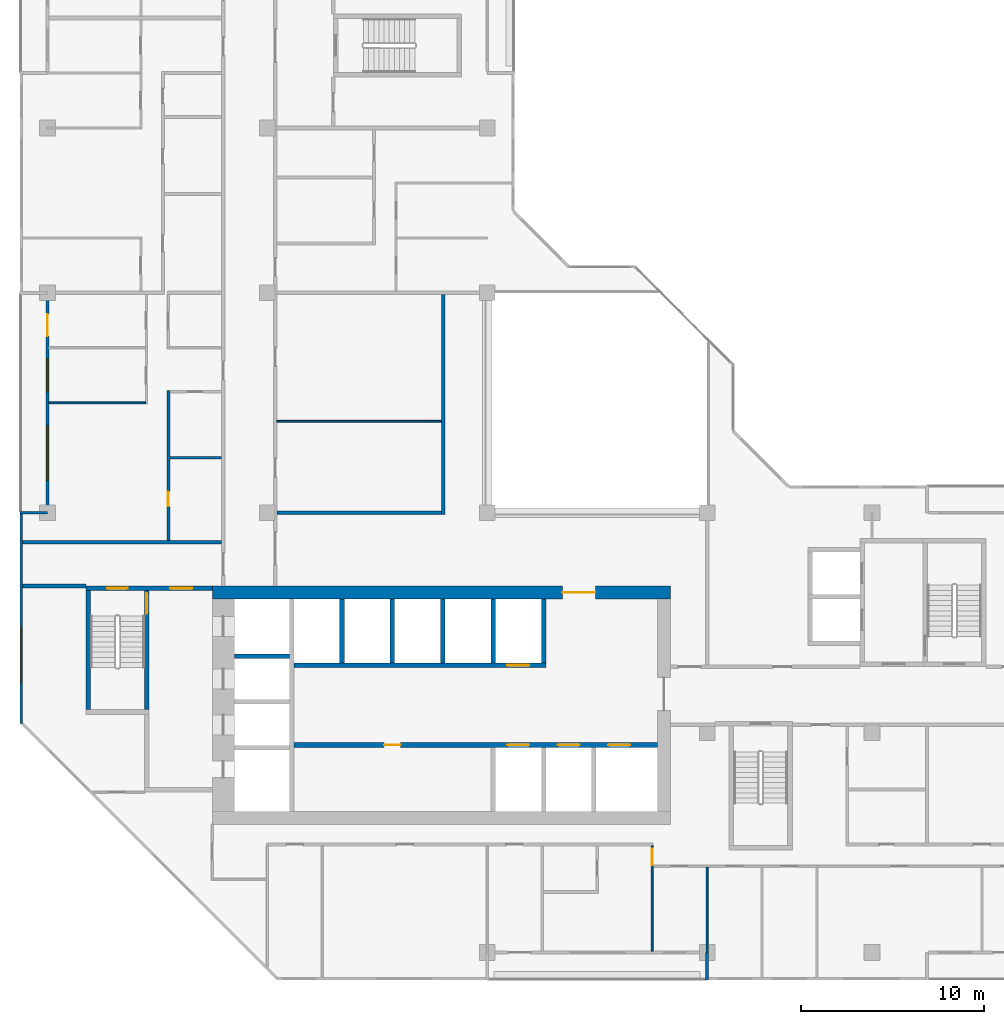
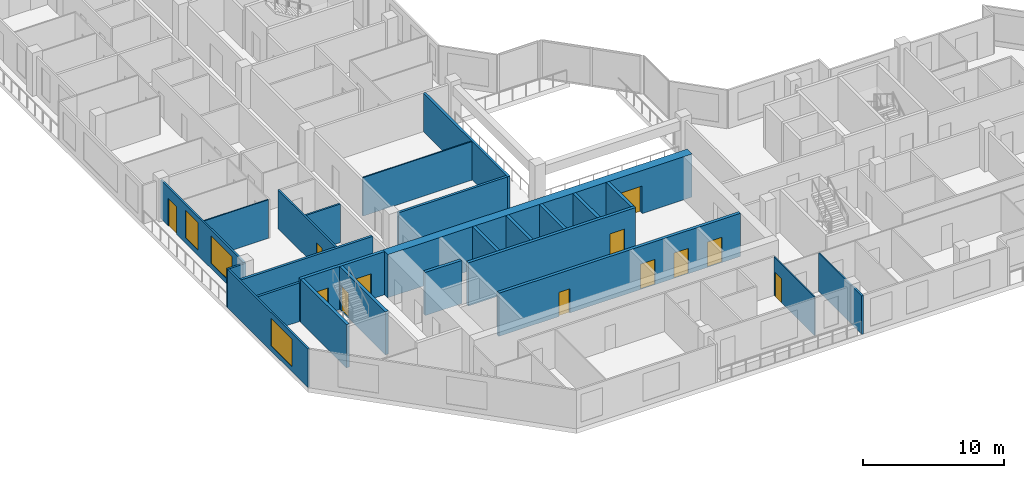
# One storey, part 5 of 14: 26 walls, 12 doors, 3 windows, 15 openings.
"""IFC4 building model written with IfcOpenShell, lengths in metres."""

from ifc_helpers import new_model, si_unit, direction, frame, frame_2d, origin, place, context, subcontext, project, spatial, rectangle, extrude, material, layer, layer_set, type_object, element, fill, save


model = new_model("IFC4")

# Units and contexts
model_context = context("Model", 3, precision=1e-05, world=origin(), true_north=direction((0.0, 1.0)))
body_context = subcontext(model_context, "Body", "Model", "MODEL_VIEW")
ifc_project = project(units=[si_unit("LENGTHUNIT", "METRE"), si_unit("AREAUNIT", "SQUARE_METRE"), si_unit("VOLUMEUNIT", "CUBIC_METRE"), si_unit("PLANEANGLEUNIT", "RADIAN"), si_unit("MASSUNIT", "GRAM", prefix="KILO")], contexts=[model_context])

# Site, building, storey
site_placement = place(None, origin())
site = spatial("IfcSite", under=ifc_project, at=site_placement, CompositionType="ELEMENT")
building_placement = place(site_placement, origin())
building = spatial("IfcBuilding", under=site, at=building_placement, Name="Chenar Terraces", CompositionType="ELEMENT")
storey_placement = place(building_placement, frame((0.0, 0.0, 241.64990234375)))
storey = spatial("IfcBuildingStorey", under=building, at=storey_placement, Name="L57", CompositionType="ELEMENT", Elevation=241.64990234375)

# Wall, openings, doors
ifc_material_1 = material(Name="Concrete C60/75", Category="concrete")
ifc_layer_1 = layer(ifc_material_1, 0.25)
ifc_layer_set_1 = layer_set([ifc_layer_1], Name="Concrete C60/75")
wall_type_1 = type_object("IfcWallType", Name="Core wall 250 Concrete C60/75", PredefinedType="SHEAR", material=ifc_layer_set_1)
wall_1_placement = place(storey_placement, frame((13.449951171875, 11.324951171875, 0.0), z_axis=(0.0, 0.0, 1.0), x_axis=(1.0, 0.0, 0.0)))
wall_1 = element("IfcWall", 1, at=wall_1_placement, inside=storey, type_object=wall_type_1, Name="Core wall SF L57", PredefinedType="SHEAR", context=body_context, shape_type="SweptSolid", body=[
    extrude(rectangle(XDim=19.85009765625, YDim=0.25, at=frame_2d((9.925048828125, 0.0))), origin(), (0.0, 0.0, 1.0), 3.75),
])
opening_1_placement = place(wall_1_placement, frame((11.64990234375, 0.0, 0.0)))
opening_1 = element("IfcOpeningElement", 2, at=opening_1_placement, cuts=wall_1, Name="Opening DL57-LD1", PredefinedType="OPENING", context=body_context, shape_type="SweptSolid", body=[
    extrude(rectangle(XDim=1.199951171875, YDim=2.199951171875, at=frame_2d((0.60009765625, 1.10009765625))), frame((0.0, 0.135009765625, 0.0), z_axis=(0.0, -1.0, 0.0), x_axis=(1.0, 0.0, 0.0)), (0.0, 0.0, 1.0), 0.27001953125),
])
opening_2_placement = place(wall_1_placement, frame((14.39990234375, 0.0, 0.0)))
opening_2 = element("IfcOpeningElement", 3, at=opening_2_placement, cuts=wall_1, Name="Opening DL57-LD2", PredefinedType="OPENING", context=body_context, shape_type="SweptSolid", body=[
    extrude(rectangle(XDim=1.199951171875, YDim=2.199951171875, at=frame_2d((0.60009765625, 1.10009765625))), frame((0.0, 0.135009765625, 0.0), z_axis=(0.0, -1.0, 0.0), x_axis=(1.0, 0.0, 0.0)), (0.0, 0.0, 1.0), 0.27001953125),
])
opening_3_placement = place(wall_1_placement, frame((17.14990234375, 0.0, 0.0)))
opening_3 = element("IfcOpeningElement", 4, at=opening_3_placement, cuts=wall_1, Name="Opening DL57-LD3", PredefinedType="OPENING", context=body_context, shape_type="SweptSolid", body=[
    extrude(rectangle(XDim=1.199951171875, YDim=2.199951171875, at=frame_2d((0.60009765625, 1.10009765625))), frame((0.0, 0.135009765625, 0.0), z_axis=(0.0, -1.0, 0.0), x_axis=(1.0, 0.0, 0.0)), (0.0, 0.0, 1.0), 0.27001953125),
])
opening_4_placement = place(wall_1_placement, frame((4.925048828125, 0.0, 0.0)))
opening_4 = element("IfcOpeningElement", 5, at=opening_4_placement, cuts=wall_1, Name="Opening DL57-C12", PredefinedType="OPENING", context=body_context, shape_type="SweptSolid", body=[
    extrude(rectangle(XDim=0.89990234375, YDim=2.10009765625, at=frame_2d((0.449951171875, 1.050048828125))), frame((0.0, 0.135009765625, 0.0), z_axis=(0.0, -1.0, 0.0), x_axis=(1.0, 0.0, 0.0)), (0.0, 0.0, 1.0), 0.27001953125),
])
ifc_material_2 = material(Name="Stainless steel", Category="steel")
door_type_1 = type_object("IfcDoorType", Name="Lift landing door 1200 x 2200 sliding", OperationType="DOUBLE_DOOR_SLIDING", PredefinedType="DOOR", material=ifc_material_2)
door_1_placement = place(opening_1_placement, origin())
door_1 = element("IfcDoor", 6, at=door_1_placement, inside=storey, type_object=door_type_1, Name="Landing door M1", OperationType="DOUBLE_DOOR_SLIDING", OverallHeight=2.199951171875, OverallWidth=1.199951171875, PredefinedType="DOOR", context=body_context, shape_type="SweptSolid", body=[
    extrude(rectangle(XDim=1.199951171875, YDim=2.199951171875, at=frame_2d((0.60009765625, 1.10009765625))), frame((0.0, 0.02490234375, 0.0), z_axis=(0.0, -1.0, 0.0), x_axis=(1.0, 0.0, 0.0)), (0.0, 0.0, 1.0), 0.050048828125),
])
fill(opening_1, door_1)
door_2_placement = place(opening_2_placement, origin())
door_2 = element("IfcDoor", 7, at=door_2_placement, inside=storey, type_object=door_type_1, Name="Landing door M2", OperationType="DOUBLE_DOOR_SLIDING", OverallHeight=2.199951171875, OverallWidth=1.199951171875, PredefinedType="DOOR", context=body_context, shape_type="SweptSolid", body=[
    extrude(rectangle(XDim=1.199951171875, YDim=2.199951171875, at=frame_2d((0.60009765625, 1.10009765625))), frame((0.0, 0.02490234375, 0.0), z_axis=(0.0, -1.0, 0.0), x_axis=(1.0, 0.0, 0.0)), (0.0, 0.0, 1.0), 0.050048828125),
])
fill(opening_2, door_2)
door_3_placement = place(opening_3_placement, origin())
door_3 = element("IfcDoor", 8, at=door_3_placement, inside=storey, type_object=door_type_1, Name="Landing door M3", OperationType="DOUBLE_DOOR_SLIDING", OverallHeight=2.199951171875, OverallWidth=1.199951171875, PredefinedType="DOOR", context=body_context, shape_type="SweptSolid", body=[
    extrude(rectangle(XDim=1.199951171875, YDim=2.199951171875, at=frame_2d((0.60009765625, 1.10009765625))), frame((0.0, 0.02490234375, 0.0), z_axis=(0.0, -1.0, 0.0), x_axis=(1.0, 0.0, 0.0)), (0.0, 0.0, 1.0), 0.050048828125),
])
fill(opening_3, door_3)
ifc_material_3 = material(Name="Steel-framed fire-resisting door leaf", Category="steel")
door_type_2 = type_object("IfcDoorType", Name="Riser fire door FD60 900 x 2100", OperationType="SINGLE_SWING_LEFT", PredefinedType="DOOR", material=ifc_material_3)
door_4_placement = place(opening_4_placement, frame((0.89990234375, 0.0, 0.0), z_axis=(0.0, 0.0, 1.0), x_axis=(-1.0, 0.0, 0.0)))
door_4 = element("IfcDoor", 9, at=door_4_placement, inside=storey, type_object=door_type_2, Name="Core room door DL57-C12", OperationType="SINGLE_SWING_RIGHT", OverallHeight=2.10009765625, OverallWidth=0.89990234375, PredefinedType="DOOR", context=body_context, shape_type="SweptSolid", body=[
    extrude(rectangle(XDim=0.89990234375, YDim=2.10009765625, at=frame_2d((0.449951171875, 1.050048828125))), frame((0.0, 0.02490234375, 0.0), z_axis=(0.0, -1.0, 0.0), x_axis=(1.0, 0.0, 0.0)), (0.0, 0.0, 1.0), 0.050048828125),
])
fill(opening_4, door_4)

# Wall, opening, door
wall_2_placement = place(storey_placement, frame((13.449951171875, 15.675048828125, 0.0), z_axis=(0.0, 0.0, 1.0), x_axis=(1.0, 0.0, 0.0)))
wall_2 = element("IfcWall", 10, at=wall_2_placement, inside=storey, type_object=wall_type_1, Name="Core wall NF L57", PredefinedType="SHEAR", context=body_context, shape_type="SweptSolid", body=[
    extrude(rectangle(XDim=13.75, YDim=0.25, at=frame_2d((6.875, 0.0))), origin(), (0.0, 0.0, 1.0), 3.75),
])
opening_5_placement = place(wall_2_placement, frame((11.64990234375, 0.0, 0.0)))
opening_5 = element("IfcOpeningElement", 11, at=opening_5_placement, cuts=wall_2, Name="Opening DL57-LD4", PredefinedType="OPENING", context=body_context, shape_type="SweptSolid", body=[
    extrude(rectangle(XDim=1.199951171875, YDim=2.199951171875, at=frame_2d((0.60009765625, 1.10009765625))), frame((0.0, 0.135009765625, 0.0), z_axis=(0.0, -1.0, 0.0), x_axis=(1.0, 0.0, 0.0)), (0.0, 0.0, 1.0), 0.27001953125),
])
door_5_placement = place(opening_5_placement, origin())
door_5 = element("IfcDoor", 12, at=door_5_placement, inside=storey, type_object=door_type_1, Name="Landing door M4", OperationType="DOUBLE_DOOR_SLIDING", OverallHeight=2.199951171875, OverallWidth=1.199951171875, PredefinedType="DOOR", context=body_context, shape_type="SweptSolid", body=[
    extrude(rectangle(XDim=1.199951171875, YDim=2.199951171875, at=frame_2d((0.60009765625, 1.10009765625))), frame((0.0, 0.02490234375, 0.0), z_axis=(0.0, -1.0, 0.0), x_axis=(1.0, 0.0, 0.0)), (0.0, 0.0, 1.0), 0.050048828125),
])
fill(opening_5, door_5)

# Walls
wall_3_placement = place(storey_placement, frame((10.199951171875, 16.175048828125, 0.0), z_axis=(0.0, 0.0, 1.0), x_axis=(1.0, 0.0, 0.0)))
element("IfcWall", 13, at=wall_3_placement, inside=storey, type_object=wall_type_1, Name="Core wall HW2 L57", PredefinedType="SHEAR", context=body_context, shape_type="SweptSolid", body=[
    extrude(rectangle(XDim=3.0, YDim=0.25, at=frame_2d((1.5, 0.0))), origin(), (0.0, 0.0, 1.0), 3.75),
])
for number, where, z_axis, x_axis, name in (
    (14, (16.074951171875, 15.800048828125, 0.0), (0.0, 0.0, 1.0), (0.0, 1.0, 0.0), "Core wall NS0 L57"),
    (15, (18.824951171875, 15.800048828125, 0.0), (0.0, 0.0, 1.0), (0.0, 1.0, 0.0), "Core wall NS1 L57"),
    (16, (21.574951171875, 15.800048828125, 0.0), (0.0, 0.0, 1.0), (0.0, 1.0, 0.0), "Core wall NS2 L57"),
    (17, (24.324951171875, 15.800048828125, 0.0), (0.0, 0.0, 1.0), (0.0, 1.0, 0.0), "Core wall NS3 L57"),
    (18, (27.074951171875, 15.800048828125, 0.0), (0.0, 0.0, 1.0), (0.0, 1.0, 0.0), "Core wall NE L57"),
):
    element("IfcWall", number, at=place(storey_placement, frame(where, z_axis=z_axis, x_axis=x_axis)), inside=storey, type_object=wall_type_1, Name=name, PredefinedType="SHEAR", context=body_context, shape_type="SweptSolid", body=[
        extrude(rectangle(XDim=3.5, YDim=0.25, at=frame_2d((1.75, 0.0))), origin(), (0.0, 0.0, 1.0), 3.75),
    ])

# Wall, openings, doors
wall_4_placement = place(storey_placement, frame((2.10009765625, 19.875, 0.0), z_axis=(0.0, 0.0, 1.0), x_axis=(1.0, 0.0, 0.0)))
wall_4 = element("IfcWall", 19, at=wall_4_placement, inside=storey, type_object=wall_type_1, Name="Core wall A_N L57", PredefinedType="SHEAR", context=body_context, shape_type="SweptSolid", body=[
    extrude(rectangle(XDim=6.89990234375, YDim=0.25, at=frame_2d((3.449951171875, 0.0))), origin(), (0.0, 0.0, 1.0), 3.75),
])
opening_6_placement = place(wall_4_placement, frame((1.175048828125, 0.0, 0.0)))
opening_6 = element("IfcOpeningElement", 20, at=opening_6_placement, cuts=wall_4, Name="Opening DL57-C5", PredefinedType="OPENING", context=body_context, shape_type="SweptSolid", body=[
    extrude(rectangle(XDim=1.10009765625, YDim=2.199951171875, at=frame_2d((0.550048828125, 1.10009765625))), frame((0.0, 0.135009765625, 0.0), z_axis=(0.0, -1.0, 0.0), x_axis=(1.0, 0.0, 0.0)), (0.0, 0.0, 1.0), 0.27001953125),
])
opening_7_placement = place(wall_4_placement, frame((4.60009765625, 0.0, 0.0)))
opening_7 = element("IfcOpeningElement", 21, at=opening_7_placement, cuts=wall_4, Name="Opening DL57-C6", PredefinedType="OPENING", context=body_context, shape_type="SweptSolid", body=[
    extrude(rectangle(XDim=1.199951171875, YDim=2.199951171875, at=frame_2d((0.60009765625, 1.10009765625))), frame((0.0, 0.135009765625, 0.0), z_axis=(0.0, -1.0, 0.0), x_axis=(1.0, 0.0, 0.0)), (0.0, 0.0, 1.0), 0.27001953125),
])
ifc_material_4 = material(Name="Steel-framed fire-resisting door leaf", Category="steel")
door_type_3 = type_object("IfcDoorType", Name="Lobby fire door FD60 1200 x 2200", OperationType="SINGLE_SWING_LEFT", PredefinedType="DOOR", material=ifc_material_4)
door_6_placement = place(opening_7_placement, frame((1.199951171875, 0.0, 0.0), z_axis=(0.0, 0.0, 1.0), x_axis=(-1.0, 0.0, 0.0)))
door_6 = element("IfcDoor", 22, at=door_6_placement, inside=storey, type_object=door_type_3, Name="Core door DL57-C6", OperationType="SINGLE_SWING_LEFT", OverallHeight=2.199951171875, OverallWidth=1.199951171875, PredefinedType="DOOR", context=body_context, shape_type="SweptSolid", body=[
    extrude(rectangle(XDim=1.199951171875, YDim=2.199951171875, at=frame_2d((0.60009765625, 1.10009765625))), frame((0.0, 0.02490234375, 0.0), z_axis=(0.0, -1.0, 0.0), x_axis=(1.0, 0.0, 0.0)), (0.0, 0.0, 1.0), 0.050048828125),
])
fill(opening_7, door_6)
ifc_material_5 = material(Name="Steel-framed fire-resisting door leaf", Category="steel")
door_type_4 = type_object("IfcDoorType", Name="Stair fire door FD60 1100 x 2200", OperationType="SINGLE_SWING_LEFT", PredefinedType="DOOR", material=ifc_material_5)
door_7_placement = place(opening_6_placement, origin())
door_7 = element("IfcDoor", 23, at=door_7_placement, inside=storey, type_object=door_type_4, Name="Stair door DL57-C5", OperationType="SINGLE_SWING_LEFT", OverallHeight=2.199951171875, OverallWidth=1.10009765625, PredefinedType="DOOR", context=body_context, shape_type="SweptSolid", body=[
    extrude(rectangle(XDim=1.10009765625, YDim=2.199951171875, at=frame_2d((0.550048828125, 1.10009765625))), frame((0.0, 0.02490234375, 0.0), z_axis=(0.0, -1.0, 0.0), x_axis=(1.0, 0.0, 0.0)), (0.0, 0.0, 1.0), 0.050048828125),
])
fill(opening_6, door_7)

# Wall
wall_5_placement = place(storey_placement, frame((2.22509765625, 13.25, 0.0), z_axis=(0.0, 0.0, 1.0), x_axis=(0.0, 1.0, 0.0)))
element("IfcWall", 24, at=wall_5_placement, inside=storey, type_object=wall_type_1, Name="Core wall ST1_W L57", PredefinedType="SHEAR", context=body_context, shape_type="SweptSolid", body=[
    extrude(rectangle(XDim=6.5, YDim=0.25, at=frame_2d((3.25, 0.0))), origin(), (0.0, 0.0, 1.0), 3.75),
])

# Wall, opening, door
wall_6_placement = place(storey_placement, frame((5.425048828125, 13.25, 0.0), z_axis=(0.0, 0.0, 1.0), x_axis=(0.0, 1.0, 0.0)))
wall_6 = element("IfcWall", 25, at=wall_6_placement, inside=storey, type_object=wall_type_1, Name="Core wall ST1_E L57", PredefinedType="SHEAR", context=body_context, shape_type="SweptSolid", body=[
    extrude(rectangle(XDim=6.5, YDim=0.25, at=frame_2d((3.25, 0.0))), origin(), (0.0, 0.0, 1.0), 3.75),
])
opening_8_placement = place(wall_6_placement, frame((5.25, 0.0, 0.0)))
opening_8 = element("IfcOpeningElement", 26, at=opening_8_placement, cuts=wall_6, Name="Opening DL57-C3", PredefinedType="OPENING", context=body_context, shape_type="SweptSolid", body=[
    extrude(rectangle(XDim=1.10009765625, YDim=2.199951171875, at=frame_2d((0.550048828125, 1.10009765625))), frame((0.0, 0.135009765625, 0.0), z_axis=(0.0, -1.0, 0.0), x_axis=(1.0, 0.0, 0.0)), (0.0, 0.0, 1.0), 0.27001953125),
])
door_8_placement = place(opening_8_placement, origin())
door_8 = element("IfcDoor", 27, at=door_8_placement, inside=storey, type_object=door_type_4, Name="Stair door DL57-C3", OperationType="SINGLE_SWING_RIGHT", OverallHeight=2.199951171875, OverallWidth=1.10009765625, PredefinedType="DOOR", context=body_context, shape_type="SweptSolid", body=[
    extrude(rectangle(XDim=1.10009765625, YDim=2.199951171875, at=frame_2d((0.550048828125, 1.10009765625))), frame((0.0, 0.02490234375, 0.0), z_axis=(0.0, -1.0, 0.0), x_axis=(1.0, 0.0, 0.0)), (0.0, 0.0, 1.0), 0.050048828125),
])
fill(opening_8, door_8)

ifc_material_6 = material(Name="Concrete C60/75", Category="concrete")
ifc_layer_2 = layer(ifc_material_6, 0.699951171875)
ifc_layer_set_2 = layer_set([ifc_layer_2], Name="Concrete C60/75")
wall_type_2 = type_object("IfcWallType", Name="Core wall 700 Concrete C60/75", PredefinedType="SHEAR", material=ifc_layer_set_2)
wall_7_placement = place(storey_placement, frame((9.0, 19.64990234375, 0.0), z_axis=(0.0, 0.0, 1.0), x_axis=(1.0, 0.0, 0.0)))
wall_7 = element("IfcWall", 28, at=wall_7_placement, inside=storey, type_object=wall_type_2, Name="Core wall N L57", PredefinedType="SHEAR", context=body_context, shape_type="SweptSolid", body=[
    extrude(rectangle(XDim=25.0, YDim=0.699951171875, at=frame_2d((12.5, 0.0))), origin(), (0.0, 0.0, 1.0), 3.75),
])
opening_9_placement = place(wall_7_placement, frame((19.10009765625, 0.0, 0.0)))
opening_9 = element("IfcOpeningElement", 29, at=opening_9_placement, cuts=wall_7, Name="Opening DL57-C2", PredefinedType="OPENING", context=body_context, shape_type="SweptSolid", body=[
    extrude(rectangle(XDim=1.800048828125, YDim=2.39990234375, at=frame_2d((0.89990234375, 1.199951171875))), frame((0.0, 0.35986328125, 0.0), z_axis=(0.0, -1.0, 0.0), x_axis=(1.0, 0.0, 0.0)), (0.0, 0.0, 1.0), 0.719970703125),
])
ifc_material_7 = material(Name="Steel-framed fire-resisting door leaf", Category="steel")
door_type_5 = type_object("IfcDoorType", Name="Core entrance double fire door FD60 1800 x 2400", OperationType="DOUBLE_DOOR_SINGLE_SWING", PredefinedType="DOOR", material=ifc_material_7)
door_9_placement = place(opening_9_placement, frame((1.800048828125, 0.0, 0.0), z_axis=(0.0, 0.0, 1.0), x_axis=(-1.0, 0.0, 0.0)))
door_9 = element("IfcDoor", 30, at=door_9_placement, inside=storey, type_object=door_type_5, Name="Core door DL57-C2", OperationType="DOUBLE_DOOR_SINGLE_SWING", OverallHeight=2.39990234375, OverallWidth=1.800048828125, PredefinedType="DOOR", context=body_context, shape_type="SweptSolid", body=[
    extrude(rectangle(XDim=1.800048828125, YDim=2.39990234375, at=frame_2d((0.89990234375, 1.199951171875))), frame((0.0, 0.02490234375, 0.0), z_axis=(0.0, -1.0, 0.0), x_axis=(1.0, 0.0, 0.0)), (0.0, 0.0, 1.0), 0.050048828125),
])
fill(opening_9, door_9)

# Walls
ifc_material_8 = material(Name="Gypsum board on steel studs with fire boards", Category="steel")
ifc_layer_3 = layer(ifc_material_8, 0.199951171875)
ifc_layer_set_3 = layer_set([ifc_layer_3], Name="Gypsum board on steel studs with fire boards")
wall_type_3 = type_object("IfcWallType", Name="Corridor wall 200", PredefinedType="PARTITIONING", material=ifc_layer_set_3)
wall_8_placement = place(storey_placement, frame((-1.35009765625, 20.0, 0.0), z_axis=(0.0, 0.0, 1.0), x_axis=(1.0, 0.0, 0.0)))
element("IfcWall", 31, at=wall_8_placement, inside=storey, type_object=wall_type_3, Name="Partition L57-001", PredefinedType="PARTITIONING", context=body_context, shape_type="SweptSolid", body=[
    extrude(rectangle(XDim=3.4501953125, YDim=0.199951171875, at=frame_2d((1.72509765625, 0.0))), origin(), (0.0, 0.0, 1.0), 3.35009765625),
])
wall_9_placement = place(storey_placement, frame((-1.35009765625, 22.39990234375, 0.0), z_axis=(0.0, 0.0, 1.0), x_axis=(1.0, 0.0, 0.0)))
element("IfcWall", 32, at=wall_9_placement, inside=storey, type_object=wall_type_3, Name="Partition L57-002", PredefinedType="PARTITIONING", context=body_context, shape_type="SweptSolid", body=[
    extrude(rectangle(XDim=10.85009765625, YDim=0.199951171875, at=frame_2d((5.425048828125, 0.0))), origin(), (0.0, 0.0, 1.0), 3.35009765625),
])
wall_10_placement = place(storey_placement, frame((12.52490234375, 24.0, 0.0), z_axis=(0.0, 0.0, 1.0), x_axis=(1.0, 0.0, 0.0)))
element("IfcWall", 33, at=wall_10_placement, inside=storey, type_object=wall_type_3, Name="Partition L57-037", PredefinedType="PARTITIONING", context=body_context, shape_type="SweptSolid", body=[
    extrude(rectangle(XDim=8.97509765625, YDim=0.199951171875, at=frame_2d((4.487548828125, 0.0))), origin(), (0.0, 0.0, 1.0), 3.35009765625),
])
wall_11_placement = place(storey_placement, frame((21.60009765625, 23.89990234375, 0.0), z_axis=(0.0, 0.0, 1.0), x_axis=(0.0, 1.0, 0.0)))
element("IfcWall", 34, at=wall_11_placement, inside=storey, type_object=wall_type_3, Name="Partition L57-058", PredefinedType="PARTITIONING", context=body_context, shape_type="SweptSolid", body=[
    extrude(rectangle(XDim=12.0, YDim=0.199951171875, at=frame_2d((6.0, 0.0))), origin(), (0.0, 0.0, 1.0), 3.35009765625),
])

# Wall, opening, window
ifc_material_9 = material(Name="Aluminium framed glazing", Category="aluminium")
ifc_layer_4 = layer(ifc_material_9, 0.14990234375)
ifc_layer_set_4 = layer_set([ifc_layer_4], Name="Aluminium framed glazing")
wall_type_4 = type_object("IfcWallType", Name="Glazed flush facade wall 150", PredefinedType="SOLIDWALL", material=ifc_layer_set_4)
wall_12_placement = place(storey_placement, frame((-1.425048828125, 23.925048828125, 0.0), z_axis=(0.0, 0.0, 1.0), x_axis=(0.0, -1.0, 0.0)))
wall_12 = element("IfcWall", 35, at=wall_12_placement, inside=storey, type_object=wall_type_4, Name="Glazed flush facade wall", PredefinedType="SOLIDWALL", context=body_context, shape_type="SweptSolid", body=[
    extrude(rectangle(XDim=11.425048828125, YDim=0.14990234375, at=frame_2d((5.71240234375, 0.0))), origin(), (0.0, 0.0, 1.0), 3.35009765625),
])
opening_10_placement = place(wall_12_placement, frame((6.175048828125, 0.0, 0.449951171875)))
opening_10 = element("IfcOpeningElement", 36, at=opening_10_placement, cuts=wall_12, Name="Opening W300x240", PredefinedType="OPENING", context=body_context, shape_type="SweptSolid", body=[
    extrude(rectangle(XDim=3.0, YDim=2.39990234375, at=frame_2d((1.5, 1.199951171875))), frame((0.0, 0.0849609375, 0.0), z_axis=(0.0, -1.0, 0.0), x_axis=(1.0, 0.0, 0.0)), (0.0, 0.0, 1.0), 0.169921875),
])
ifc_material_10 = material(Name="Low emissivity double glazing, aluminium frame", Category="aluminium")
window_type_1 = type_object("IfcWindowType", Name="Fixed light 3000 x 2400", PartitioningType="SINGLE_PANEL", PredefinedType="WINDOW", material=ifc_material_10)
window_1_placement = place(opening_10_placement, origin())
window_1 = element("IfcWindow", 37, at=window_1_placement, inside=storey, type_object=window_type_1, Name="Window", OverallHeight=2.39990234375, OverallWidth=3.0, PartitioningType="SINGLE_PANEL", PredefinedType="WINDOW", context=body_context, shape_type="SweptSolid", body=[
    extrude(rectangle(XDim=3.0, YDim=2.39990234375, at=frame_2d((1.5, 1.199951171875))), frame((0.0, 0.030029296875, 0.0), z_axis=(0.0, -1.0, 0.0), x_axis=(1.0, 0.0, 0.0)), (0.0, 0.0, 1.0), 0.06005859375),
])
fill(opening_10, window_1)

# Wall, openings, windows, door
ifc_material_11 = material(Name="Aluminium framed glazing", Category="aluminium")
ifc_layer_5 = layer(ifc_material_11, 0.14990234375)
ifc_layer_set_5 = layer_set([ifc_layer_5], Name="Aluminium framed glazing")
wall_type_5 = type_object("IfcWallType", Name="Glazed loggia back wall 150", PredefinedType="SOLIDWALL", material=ifc_layer_set_5)
wall_13_placement = place(storey_placement, frame((0.0, 35.925048828125, 0.0), z_axis=(0.0, 0.0, 1.0), x_axis=(0.0, -1.0, 0.0)))
wall_13 = element("IfcWall", 38, at=wall_13_placement, inside=storey, type_object=wall_type_5, Name="Glazed loggia back wall", PredefinedType="SOLIDWALL", context=body_context, shape_type="SweptSolid", body=[
    extrude(rectangle(XDim=11.85009765625, YDim=0.14990234375, at=frame_2d((5.925048828125, 0.0))), origin(), (0.0, 0.0, 1.0), 3.35009765625),
])
opening_11_placement = place(wall_13_placement, frame((1.08740234375, 0.0, 0.0)))
opening_11 = element("IfcOpeningElement", 39, at=opening_11_placement, cuts=wall_13, Name="Opening DL57-G5", PredefinedType="OPENING", context=body_context, shape_type="SweptSolid", body=[
    extrude(rectangle(XDim=1.199951171875, YDim=2.39990234375, at=frame_2d((0.60009765625, 1.199951171875))), frame((0.0, 0.0849609375, 0.0), z_axis=(0.0, -1.0, 0.0), x_axis=(1.0, 0.0, 0.0)), (0.0, 0.0, 1.0), 0.169921875),
])
opening_12_placement = place(wall_13_placement, frame((3.52490234375, 0.0, 0.449951171875)))
opening_12 = element("IfcOpeningElement", 40, at=opening_12_placement, cuts=wall_13, Name="Opening W180x240", PredefinedType="OPENING", context=body_context, shape_type="SweptSolid", body=[
    extrude(rectangle(XDim=1.800048828125, YDim=2.39990234375, at=frame_2d((0.89990234375, 1.199951171875))), frame((0.0, 0.0849609375, 0.0), z_axis=(0.0, -1.0, 0.0), x_axis=(1.0, 0.0, 0.0)), (0.0, 0.0, 1.0), 0.169921875),
])
opening_13_placement = place(wall_13_placement, frame((7.16259765625, 0.0, 0.449951171875)))
opening_13 = element("IfcOpeningElement", 41, at=opening_13_placement, cuts=wall_13, Name="Opening W300x240", PredefinedType="OPENING", context=body_context, shape_type="SweptSolid", body=[
    extrude(rectangle(XDim=3.0, YDim=2.39990234375, at=frame_2d((1.5, 1.199951171875))), frame((0.0, 0.0849609375, 0.0), z_axis=(0.0, -1.0, 0.0), x_axis=(1.0, 0.0, 0.0)), (0.0, 0.0, 1.0), 0.169921875),
])
ifc_material_12 = material(Name="Low emissivity double glazing, aluminium frame", Category="aluminium")
window_type_2 = type_object("IfcWindowType", Name="Fixed light 1800 x 2400", PartitioningType="SINGLE_PANEL", PredefinedType="WINDOW", material=ifc_material_12)
window_2_placement = place(opening_12_placement, origin())
window_2 = element("IfcWindow", 42, at=window_2_placement, inside=storey, type_object=window_type_2, Name="Window", OverallHeight=2.39990234375, OverallWidth=1.800048828125, PartitioningType="SINGLE_PANEL", PredefinedType="WINDOW", context=body_context, shape_type="SweptSolid", body=[
    extrude(rectangle(XDim=1.800048828125, YDim=2.39990234375, at=frame_2d((0.89990234375, 1.199951171875))), frame((0.0, 0.030029296875, 0.0), z_axis=(0.0, -1.0, 0.0), x_axis=(1.0, 0.0, 0.0)), (0.0, 0.0, 1.0), 0.06005859375),
])
fill(opening_12, window_2)
window_3_placement = place(opening_13_placement, origin())
window_3 = element("IfcWindow", 43, at=window_3_placement, inside=storey, type_object=window_type_1, Name="Window", OverallHeight=2.39990234375, OverallWidth=3.0, PartitioningType="SINGLE_PANEL", PredefinedType="WINDOW", context=body_context, shape_type="SweptSolid", body=[
    extrude(rectangle(XDim=3.0, YDim=2.39990234375, at=frame_2d((1.5, 1.199951171875))), frame((0.0, 0.030029296875, 0.0), z_axis=(0.0, -1.0, 0.0), x_axis=(1.0, 0.0, 0.0)), (0.0, 0.0, 1.0), 0.06005859375),
])
fill(opening_13, window_3)
ifc_material_13 = material(Name="Low emissivity double glazing, aluminium frame", Category="aluminium")
door_type_6 = type_object("IfcDoorType", Name="Loggia glazed double door 1200 x 2400", OperationType="DOUBLE_DOOR_SINGLE_SWING", PredefinedType="DOOR", material=ifc_material_13)
door_10_placement = place(opening_11_placement, frame((1.199951171875, 0.0, 0.0), z_axis=(0.0, 0.0, 1.0), x_axis=(-1.0, 0.0, 0.0)))
door_10 = element("IfcDoor", 44, at=door_10_placement, inside=storey, type_object=door_type_6, Name="Loggia glazed door", OperationType="DOUBLE_DOOR_SINGLE_SWING", OverallHeight=2.39990234375, OverallWidth=1.199951171875, PredefinedType="DOOR", context=body_context, shape_type="SweptSolid", body=[
    extrude(rectangle(XDim=1.199951171875, YDim=2.39990234375, at=frame_2d((0.60009765625, 1.199951171875))), frame((0.0, 0.02490234375, 0.0), z_axis=(0.0, -1.0, 0.0), x_axis=(1.0, 0.0, 0.0)), (0.0, 0.0, 1.0), 0.050048828125),
])
fill(opening_11, door_10)

# Walls
ifc_material_14 = material(Name="Gypsum board on steel studs", Category="steel")
ifc_layer_6 = layer(ifc_material_14, 0.10009765625)
ifc_layer_set_6 = layer_set([ifc_layer_6], Name="Gypsum board on steel studs")
wall_type_6 = type_object("IfcWallType", Name="Gypsum partition 100", PredefinedType="PARTITIONING", material=ifc_layer_set_6)
wall_14_placement = place(storey_placement, frame((0.073974609375, 30.0, 0.0), z_axis=(0.0, 0.0, 1.0), x_axis=(1.0, 0.0, 0.0)))
element("IfcWall", 45, at=wall_14_placement, inside=storey, type_object=wall_type_6, Name="Partition L57-007", PredefinedType="PARTITIONING", context=body_context, shape_type="SweptSolid", body=[
    extrude(rectangle(XDim=5.276123046875, YDim=0.10009765625, at=frame_2d((2.63818359375, 0.0))), origin(), (0.0, 0.0, 1.0), 3.35009765625),
])
wall_15_placement = place(storey_placement, frame((12.52490234375, 29.0, 0.0), z_axis=(0.0, 0.0, 1.0), x_axis=(1.0, 0.0, 0.0)))
element("IfcWall", 46, at=wall_15_placement, inside=storey, type_object=wall_type_6, Name="Partition L57-038", PredefinedType="PARTITIONING", context=body_context, shape_type="SweptSolid", body=[
    extrude(rectangle(XDim=8.97509765625, YDim=0.10009765625, at=frame_2d((4.487548828125, 0.0))), origin(), (0.0, 0.0, 1.0), 3.35009765625),
])

# Wall, opening, door
wall_16_placement = place(storey_placement, frame((33.0, 0.073974609375, 0.0), z_axis=(0.0, 0.0, 1.0), x_axis=(0.0, 1.0, 0.0)))
wall_16 = element("IfcWall", 47, at=wall_16_placement, inside=storey, type_object=wall_type_6, Name="Partition L57-063", PredefinedType="PARTITIONING", context=body_context, shape_type="SweptSolid", body=[
    extrude(rectangle(XDim=5.7509765625, YDim=0.10009765625, at=frame_2d((2.87548828125, 0.0))), origin(), (0.0, 0.0, 1.0), 3.35009765625),
])
opening_14_placement = place(wall_16_placement, frame((4.700927734375, 0.0, 0.0)))
opening_14 = element("IfcOpeningElement", 48, at=opening_14_placement, cuts=wall_16, Name="Opening DL57-51", PredefinedType="OPENING", context=body_context, shape_type="SweptSolid", body=[
    extrude(rectangle(XDim=0.89990234375, YDim=2.10009765625, at=frame_2d((0.449951171875, 1.050048828125))), frame((0.0, 0.06005859375, 0.0), z_axis=(0.0, -1.0, 0.0), x_axis=(1.0, 0.0, 0.0)), (0.0, 0.0, 1.0), 0.1201171875),
])
ifc_material_15 = material(Name="Veneered timber door leaf", Category="wood")
door_type_7 = type_object("IfcDoorType", Name="Door 900 x 2100", OperationType="SINGLE_SWING_LEFT", PredefinedType="DOOR", material=ifc_material_15)
door_11_placement = place(opening_14_placement, origin())
door_11 = element("IfcDoor", 49, at=door_11_placement, inside=storey, type_object=door_type_7, Name="Door DL57-51", OperationType="SINGLE_SWING_RIGHT", OverallHeight=2.10009765625, OverallWidth=0.89990234375, PredefinedType="DOOR", context=body_context, shape_type="SweptSolid", body=[
    extrude(rectangle(XDim=0.89990234375, YDim=2.10009765625, at=frame_2d((0.449951171875, 1.050048828125))), frame((0.0, 0.02490234375, 0.0), z_axis=(0.0, -1.0, 0.0), x_axis=(1.0, 0.0, 0.0)), (0.0, 0.0, 1.0), 0.050048828125),
])
fill(opening_14, door_11)

# Walls
wall_17_placement = place(storey_placement, frame((36.0, 0.0, 0.0), z_axis=(0.0, 0.0, 1.0), x_axis=(0.0, 1.0, 0.0)))
element("IfcWall", 50, at=wall_17_placement, inside=storey, type_object=wall_type_6, Name="Partition L57-067", PredefinedType="PARTITIONING", context=body_context, shape_type="SweptSolid", body=[
    extrude(rectangle(XDim=4.64990234375, YDim=0.10009765625, at=frame_2d((2.324951171875, 0.0))), origin(), (0.0, 0.0, 1.0), 3.35009765625),
])
ifc_material_16 = material(Name="Terracotta cladding on insulated backing", Category="masonry")
ifc_layer_7 = layer(ifc_material_16, 0.14990234375)
ifc_layer_set_7 = layer_set([ifc_layer_7], Name="Terracotta cladding on insulated backing")
wall_type_7 = type_object("IfcWallType", Name="Loggia return wall 150", PredefinedType="SOLIDWALL", material=ifc_layer_set_7)
for number, where, z_axis, x_axis, name in (
    (51, (-1.5, 24.0, 0.0), (0.0, 0.0, 1.0), (1.0, 0.0, 0.0), "Loggia return wall"),
    (52, (36.0, -1.5, 0.0), (0.0, 0.0, 1.0), (0.0, 1.0, 0.0), "Loggia return wall"),
):
    element("IfcWall", number, at=place(storey_placement, frame(where, z_axis=z_axis, x_axis=x_axis)), inside=storey, type_object=wall_type_7, Name=name, PredefinedType="SOLIDWALL", context=body_context, shape_type="SweptSolid", body=[
        extrude(rectangle(XDim=1.5, YDim=0.14990234375, at=frame_2d((0.75, 0.0))), origin(), (0.0, 0.0, 1.0), 3.35009765625),
    ])

# Wall, opening, door
ifc_material_17 = material(Name="Moisture-resistant gypsum board on steel studs", Category="steel")
ifc_layer_8 = layer(ifc_material_17, 0.14990234375)
ifc_layer_set_8 = layer_set([ifc_layer_8], Name="Moisture-resistant gypsum board on steel studs")
wall_type_8 = type_object("IfcWallType", Name="Wet-room partition 150", PredefinedType="PARTITIONING", material=ifc_layer_set_8)
wall_18_placement = place(storey_placement, frame((6.60009765625, 22.5, 0.0), z_axis=(0.0, 0.0, 1.0), x_axis=(0.0, 1.0, 0.0)))
wall_18 = element("IfcWall", 53, at=wall_18_placement, inside=storey, type_object=wall_type_8, Name="Partition L57-026", PredefinedType="PARTITIONING", context=body_context, shape_type="SweptSolid", body=[
    extrude(rectangle(XDim=8.175048828125, YDim=0.14990234375, at=frame_2d((4.08740234375, 0.0))), origin(), (0.0, 0.0, 1.0), 3.35009765625),
])
opening_15_placement = place(wall_18_placement, frame((1.85009765625, 0.0, 0.0)))
opening_15 = element("IfcOpeningElement", 54, at=opening_15_placement, cuts=wall_18, Name="Opening DL57-62", PredefinedType="OPENING", context=body_context, shape_type="SweptSolid", body=[
    extrude(rectangle(XDim=0.800048828125, YDim=2.10009765625, at=frame_2d((0.39990234375, 1.050048828125))), frame((0.0, 0.0849609375, 0.0), z_axis=(0.0, -1.0, 0.0), x_axis=(1.0, 0.0, 0.0)), (0.0, 0.0, 1.0), 0.169921875),
])
ifc_material_18 = material(Name="Veneered timber door leaf", Category="wood")
door_type_8 = type_object("IfcDoorType", Name="Door 800 x 2100", OperationType="SINGLE_SWING_LEFT", PredefinedType="DOOR", material=ifc_material_18)
door_12_placement = place(opening_15_placement, frame((0.800048828125, 0.0, 0.0), z_axis=(0.0, 0.0, 1.0), x_axis=(-1.0, 0.0, 0.0)))
door_12 = element("IfcDoor", 55, at=door_12_placement, inside=storey, type_object=door_type_8, Name="Door DL57-62", OperationType="SINGLE_SWING_LEFT", OverallHeight=2.10009765625, OverallWidth=0.800048828125, PredefinedType="DOOR", context=body_context, shape_type="SweptSolid", body=[
    extrude(rectangle(XDim=0.800048828125, YDim=2.10009765625, at=frame_2d((0.39990234375, 1.050048828125))), frame((0.0, 0.02490234375, 0.0), z_axis=(0.0, -1.0, 0.0), x_axis=(1.0, 0.0, 0.0)), (0.0, 0.0, 1.0), 0.050048828125),
])
fill(opening_15, door_12)

# Wall
wall_19_placement = place(storey_placement, frame((6.675048828125, 27.0, 0.0), z_axis=(0.0, 0.0, 1.0), x_axis=(1.0, 0.0, 0.0)))
element("IfcWall", 56, at=wall_19_placement, inside=storey, type_object=wall_type_8, Name="Partition L57-029", PredefinedType="PARTITIONING", context=body_context, shape_type="SweptSolid", body=[
    extrude(rectangle(XDim=2.824951171875, YDim=0.14990234375, at=frame_2d((1.41259765625, 0.0))), origin(), (0.0, 0.0, 1.0), 3.35009765625),
])

save(model, "model.ifc")
